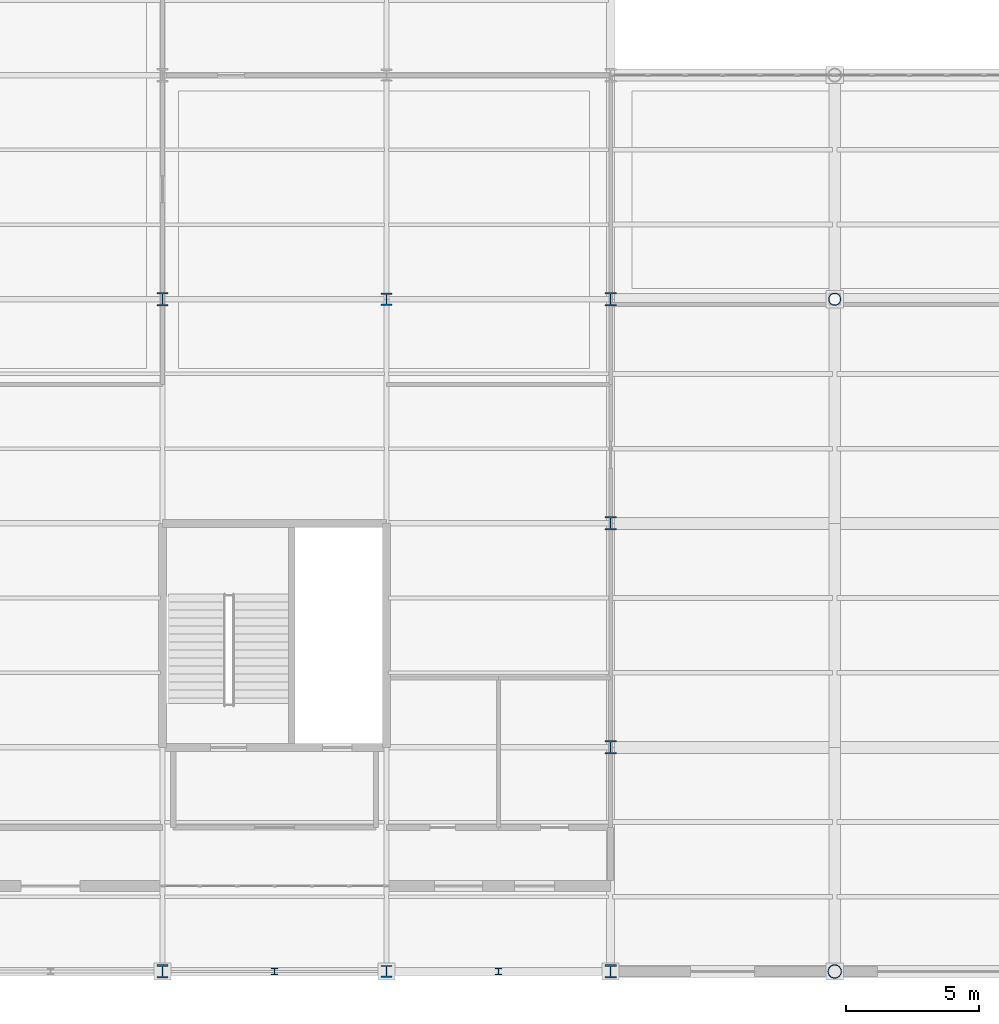
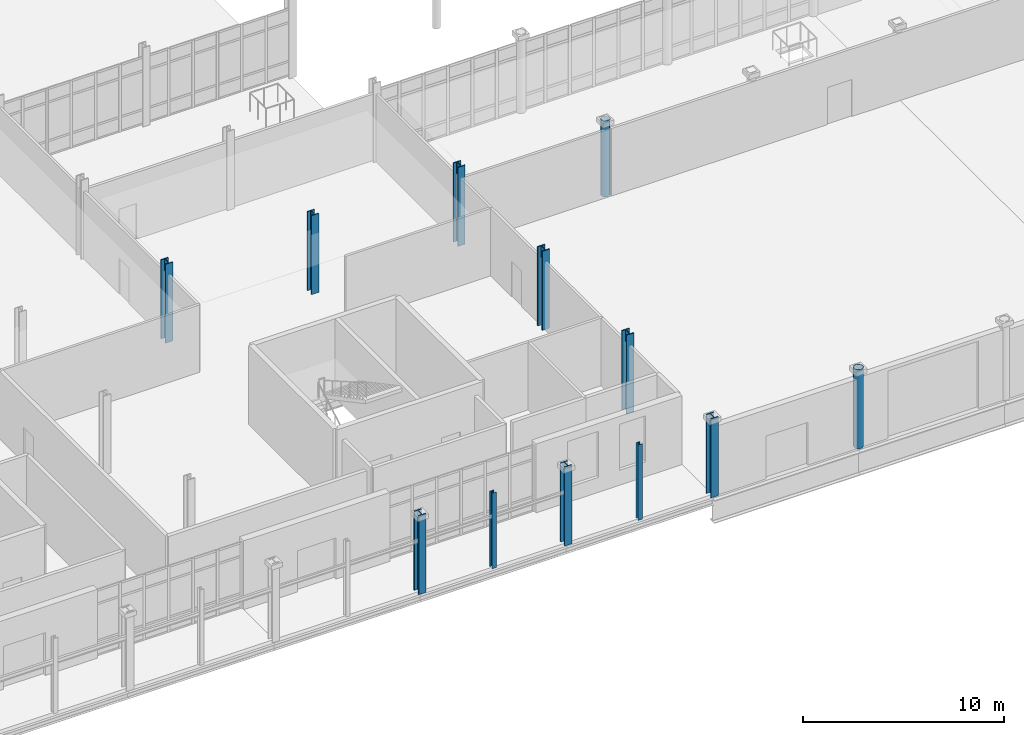
# One storey, part 3 of 145: 12 columns.
"""IFC4 building model written with IfcOpenShell, lengths in metres."""

from ifc_helpers import new_model, si_unit, direction, frame, origin, origin_2d, place, context, subcontext, project, spatial, hollow_circle, i_section, extrude, material, material_profile, profile_set, type_object, element, save


model = new_model("IFC4")

# Units and contexts
model_context = context("Model", 3, precision=1e-05, world=origin(), true_north=direction((0.0, 1.0)))
body_context = subcontext(model_context, "Body", "Model", "MODEL_VIEW")
ifc_project = project(units=[si_unit("LENGTHUNIT", "METRE"), si_unit("AREAUNIT", "SQUARE_METRE"), si_unit("VOLUMEUNIT", "CUBIC_METRE"), si_unit("PLANEANGLEUNIT", "RADIAN"), si_unit("MASSUNIT", "GRAM", prefix="KILO")], contexts=[model_context])

# Site, building, storey
site_placement = place(None, origin())
site = spatial("IfcSite", under=ifc_project, at=site_placement, CompositionType="ELEMENT")
building_placement = place(site_placement, origin())
building = spatial("IfcBuilding", under=site, at=building_placement, Name="Qalvenar Corner Mobility Hub", CompositionType="ELEMENT")
storey_placement = place(building_placement, origin())
storey = spatial("IfcBuildingStorey", under=building, at=storey_placement, Name="L00", CompositionType="ELEMENT", Elevation=0.0)

# Columns
ifc_material = material(Name="Steel S355", Category="steel")
ifc_material_profile_1 = material_profile(ifc_material, hollow_circle(Radius=0.228515625, WallThickness=0.01416015625, at=origin_2d()), Name="CHS457x14.2")
ifc_profile_set_1 = profile_set([ifc_material_profile_1], Name="Steel S355")
column_type_1 = type_object("IfcColumnType", Name="COL-CHS457", PredefinedType="COLUMN", material=ifc_profile_set_1)
column_1_placement = place(storey_placement, frame((58.800048828125, 25.199951171875, 0.0), z_axis=(0.0, 0.0, 1.0), x_axis=(1.0, 0.0, 0.0)))
element("IfcColumn", 1, at=column_1_placement, inside=storey, type_object=column_type_1, Name="Steel Column L00-G8-3", PredefinedType="COLUMN", context=body_context, shape_type="SweptSolid", body=[
    extrude(hollow_circle(Radius=0.228515625, WallThickness=0.01416015625, at=origin_2d()), origin(), (0.0, 0.0, 1.0), 4.6201171875),
])
ifc_material_profile_2 = material_profile(ifc_material, hollow_circle(Radius=0.25390625, WallThickness=0.01611328125, at=origin_2d()), Name="CHS508x16")
ifc_profile_set_2 = profile_set([ifc_material_profile_2], Name="Steel S355")
column_type_2 = type_object("IfcColumnType", Name="COL-CHS508", PredefinedType="COLUMN", material=ifc_profile_set_2)
column_2_placement = place(storey_placement, frame((58.800048828125, 0.0, 0.0), z_axis=(0.0, 0.0, 1.0), x_axis=(1.0, 0.0, 0.0)))
element("IfcColumn", 2, at=column_2_placement, inside=storey, type_object=column_type_2, Name="Steel Column L00-G8-0", PredefinedType="COLUMN", context=body_context, shape_type="SweptSolid", body=[
    extrude(hollow_circle(Radius=0.25390625, WallThickness=0.01611328125, at=origin_2d()), origin(), (0.0, 0.0, 1.0), 4.800048828125),
])
ifc_material_profile_3 = material_profile(ifc_material, i_section(OverallWidth=0.412109375, OverallDepth=0.455078125, WebThickness=0.030517578125, FlangeThickness=0.049072265625, FilletRadius=0.014892578125, at=origin_2d()), Name="HD400x421")
ifc_profile_set_3 = profile_set([ifc_material_profile_3], Name="Steel S355")
column_type_3 = type_object("IfcColumnType", Name="COL-HD400X382", PredefinedType="COLUMN", material=ifc_profile_set_3)
for number, where, z_axis, x_axis, name in (
    (3, (42.0, 0.0, 0.0), (0.0, 0.0, 1.0), (1.0, 0.0, 0.0), "Steel Column L00-G6-0"),
    (4, (42.0, 25.199951171875, 0.0), (0.0, 0.0, 1.0), (1.0, 0.0, 0.0), "Steel Column L00-G6-3"),
):
    element("IfcColumn", number, at=place(storey_placement, frame(where, z_axis=z_axis, x_axis=x_axis)), inside=storey, type_object=column_type_3, Name=name, PredefinedType="COLUMN", context=body_context, shape_type="SweptSolid", body=[
        extrude(i_section(OverallWidth=0.412109375, OverallDepth=0.455078125, WebThickness=0.030517578125, FlangeThickness=0.049072265625, FilletRadius=0.014892578125, at=origin_2d()), origin(), (0.0, 0.0, 1.0), 4.800048828125),
    ])
ifc_material_profile_4 = material_profile(ifc_material, i_section(OverallWidth=0.419921875, OverallDepth=0.5048828125, WebThickness=0.03662109375, FlangeThickness=0.05908203125, FilletRadius=0.014892578125, at=origin_2d()), Name="HD400x551")
ifc_profile_set_4 = profile_set([ifc_material_profile_4], Name="Steel S355")
column_type_4 = type_object("IfcColumnType", Name="COL-HD400X463", PredefinedType="COLUMN", material=ifc_profile_set_4)
for number, where, z_axis, x_axis, name in (
    (5, (33.60009765625, 0.0, 0.0), (0.0, 0.0, 1.0), (1.0, 0.0, 0.0), "Steel Column L00-G5-0"),
    (6, (33.60009765625, 25.199951171875, 0.0), (0.0, 0.0, 1.0), (1.0, 0.0, 0.0), "Steel Column L00-G5-3"),
    (7, (50.39990234375, 0.0, 0.0), (0.0, 0.0, 1.0), (1.0, 0.0, 0.0), "Steel Column L00-G7-0"),
    (8, (50.39990234375, 8.39990234375, 0.0), (0.0, 0.0, 1.0), (1.0, 0.0, 0.0), "Steel Column L00-G7-1"),
    (9, (50.39990234375, 16.800048828125, 0.0), (0.0, 0.0, 1.0), (1.0, 0.0, 0.0), "Steel Column L00-G7-2"),
    (10, (50.39990234375, 25.199951171875, 0.0), (0.0, 0.0, 1.0), (1.0, 0.0, 0.0), "Steel Column L00-G7-3"),
):
    element("IfcColumn", number, at=place(storey_placement, frame(where, z_axis=z_axis, x_axis=x_axis)), inside=storey, type_object=column_type_4, Name=name, PredefinedType="COLUMN", context=body_context, shape_type="SweptSolid", body=[
        extrude(i_section(OverallWidth=0.419921875, OverallDepth=0.5048828125, WebThickness=0.03662109375, FlangeThickness=0.05908203125, FilletRadius=0.014892578125, at=origin_2d()), origin(), (0.0, 0.0, 1.0), 4.800048828125),
    ])
ifc_material_profile_5 = material_profile(ifc_material, i_section(OverallWidth=0.239990234375, OverallDepth=0.239990234375, WebThickness=0.010009765625, FlangeThickness=0.01708984375, FilletRadius=0.02099609375, at=origin_2d()), Name="HEB240")
ifc_profile_set_5 = profile_set([ifc_material_profile_5], Name="Steel S355")
column_type_5 = type_object("IfcColumnType", Name="COL-PIL-HEB240", PredefinedType="PILASTER", material=ifc_profile_set_5)
for number, where, z_axis, x_axis, name in (
    (11, (37.800048828125, 0.0, 0.0), (0.0, 0.0, 1.0), (1.0, 0.0, 0.0), "Arcade Pilaster PS-04"),
    (12, (46.199951171875, 0.0, 0.0), (0.0, 0.0, 1.0), (1.0, 0.0, 0.0), "Arcade Pilaster PS-05"),
):
    element("IfcColumn", number, at=place(storey_placement, frame(where, z_axis=z_axis, x_axis=x_axis)), inside=storey, type_object=column_type_5, Name=name, PredefinedType="PILASTER", context=body_context, shape_type="SweptSolid", body=[
        extrude(i_section(OverallWidth=0.239990234375, OverallDepth=0.239990234375, WebThickness=0.010009765625, FlangeThickness=0.01708984375, FilletRadius=0.02099609375, at=origin_2d()), origin(), (0.0, 0.0, 1.0), 4.580078125),
    ])

save(model, "model.ifc")
